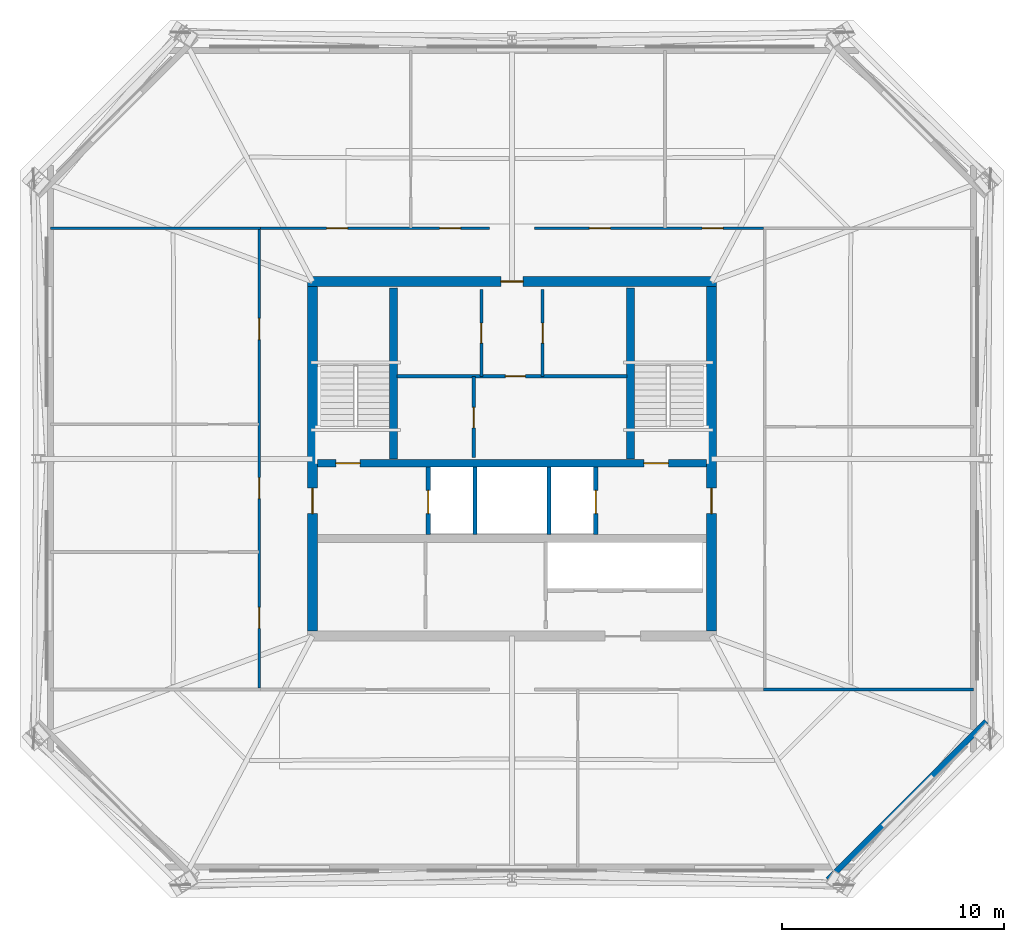
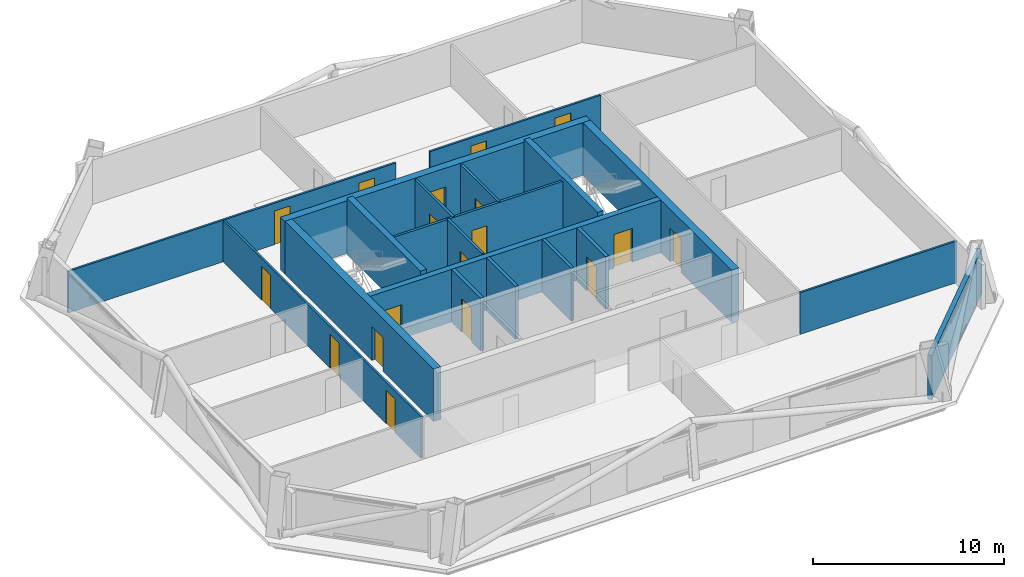
# One storey, part 3 of 6: 20 walls, 18 doors, 18 openings.
"""IFC4 building model written with IfcOpenShell, lengths in metres."""

from ifc_helpers import new_model, si_unit, direction, frame, frame_2d, origin, place, context, subcontext, project, spatial, rectangle, extrude, material, layer, layer_set, type_object, element, fill, save


model = new_model("IFC4")

# Units and contexts
model_context = context("Model", 3, precision=1e-05, world=origin(), true_north=direction((0.0, 1.0)))
body_context = subcontext(model_context, "Body", "Model", "MODEL_VIEW")
ifc_project = project(units=[si_unit("LENGTHUNIT", "METRE"), si_unit("AREAUNIT", "SQUARE_METRE"), si_unit("VOLUMEUNIT", "CUBIC_METRE"), si_unit("PLANEANGLEUNIT", "RADIAN"), si_unit("MASSUNIT", "GRAM", prefix="KILO")], contexts=[model_context])

# Site, building, storey
site_placement = place(None, origin())
site = spatial("IfcSite", under=ifc_project, at=site_placement, CompositionType="ELEMENT")
building_placement = place(site_placement, origin())
building = spatial("IfcBuilding", under=site, at=building_placement, Name="Caelvoria Tower", CompositionType="ELEMENT")
storey_placement = place(building_placement, frame((0.0, 0.0, 205.800048828125)))
storey = spatial("IfcBuildingStorey", under=building, at=storey_placement, Name="L54", CompositionType="ELEMENT", Elevation=205.800048828125)

# Wall, openings, doors
ifc_material_1 = material(Name="Concrete C50/60", Category="concrete")
ifc_layer_1 = layer(ifc_material_1, 0.35009765625, Name="Concrete C50/60")
ifc_layer_set_1 = layer_set([ifc_layer_1], Name="Core Internal Shear Wall 350 - Concrete C50/60")
wall_type_1 = type_object("IfcWallType", Name="Core Internal Shear Wall 350", PredefinedType="SHEAR", material=ifc_layer_set_1)
wall_1_placement = place(storey_placement, frame((37.22509765625, 31.800048828125, 0.0), z_axis=(0.0, 0.0, 1.0), x_axis=(1.0, 0.0, 0.0)))
wall_1 = element("IfcWall", 1, at=wall_1_placement, inside=storey, type_object=wall_type_1, Name="Core Shear Wall L54 M1", PredefinedType="SHEAR", context=body_context, shape_type="SweptSolid", body=[
    extrude(rectangle(XDim=17.5498046875, YDim=0.35009765625, at=frame_2d((8.77490234375, 0.0))), origin(), (0.0, 0.0, 1.0), 3.35986328125),
])
opening_1_placement = place(wall_1_placement, frame((0.824951171875, 0.0, 0.0)))
opening_1 = element("IfcOpeningElement", 2, at=opening_1_placement, cuts=wall_1, Name="Opening ID-01", PredefinedType="OPENING", context=body_context, shape_type="SweptSolid", body=[
    extrude(rectangle(XDim=1.10009765625, YDim=2.14990234375, at=frame_2d((0.550048828125, 1.074951171875))), frame((0.0, 0.18505859375, 0.0), z_axis=(0.0, -1.0, 0.0), x_axis=(1.0, 0.0, 0.0)), (0.0, 0.0, 1.0), 0.3701171875),
])
opening_2_placement = place(wall_1_placement, frame((14.72509765625, 0.0, 0.0)))
opening_2 = element("IfcOpeningElement", 3, at=opening_2_placement, cuts=wall_1, Name="Opening ID-01", PredefinedType="OPENING", context=body_context, shape_type="SweptSolid", body=[
    extrude(rectangle(XDim=1.10009765625, YDim=2.14990234375, at=frame_2d((0.550048828125, 1.074951171875))), frame((0.0, 0.18505859375, 0.0), z_axis=(0.0, -1.0, 0.0), x_axis=(1.0, 0.0, 0.0)), (0.0, 0.0, 1.0), 0.3701171875),
])
ifc_material_2 = material(Name="Painted Hollow Steel Fire Door", Category="steel")
door_type_1 = type_object("IfcDoorType", Name="Fire Door FD90S 1100x2150", OperationType="NOTDEFINED", PredefinedType="DOOR", material=ifc_material_2)
door_1_placement = place(opening_1_placement, origin())
door_1 = element("IfcDoor", 4, at=door_1_placement, inside=storey, type_object=door_type_1, Name="Core Door DR-L54-ST1", OperationType="SINGLE_SWING_LEFT", OverallHeight=2.14990234375, OverallWidth=1.10009765625, PredefinedType="DOOR", context=body_context, shape_type="SweptSolid", body=[
    extrude(rectangle(XDim=1.10009765625, YDim=2.14990234375, at=frame_2d((0.550048828125, 1.074951171875))), frame((0.0, 0.02490234375, 0.0), z_axis=(0.0, -1.0, 0.0), x_axis=(1.0, 0.0, 0.0)), (0.0, 0.0, 1.0), 0.050048828125),
])
fill(opening_1, door_1)
door_2_placement = place(opening_2_placement, origin())
door_2 = element("IfcDoor", 5, at=door_2_placement, inside=storey, type_object=door_type_1, Name="Core Door DR-L54-ST2", OperationType="SINGLE_SWING_RIGHT", OverallHeight=2.14990234375, OverallWidth=1.10009765625, PredefinedType="DOOR", context=body_context, shape_type="SweptSolid", body=[
    extrude(rectangle(XDim=1.10009765625, YDim=2.14990234375, at=frame_2d((0.550048828125, 1.074951171875))), frame((0.0, 0.02490234375, 0.0), z_axis=(0.0, -1.0, 0.0), x_axis=(1.0, 0.0, 0.0)), (0.0, 0.0, 1.0), 0.050048828125),
])
fill(opening_2, door_2)

# Walls
for number, where, z_axis, x_axis, name in (
    (6, (40.64990234375, 32.0, 0.0), (0.0, 0.0, 1.0), (0.0, 1.0, 0.0), "Interior Partition IW-L54-ST1E"),
    (7, (51.35009765625, 32.0, 0.0), (0.0, 0.0, 1.0), (0.0, 1.0, 0.0), "Interior Partition IW-L54-ST2W"),
):
    element("IfcWall", number, at=place(storey_placement, frame(where, z_axis=z_axis, x_axis=x_axis)), inside=storey, type_object=wall_type_1, Name=name, PredefinedType="SHEAR", context=body_context, shape_type="SweptSolid", body=[
        extrude(rectangle(XDim=7.699951171875, YDim=0.35009765625, at=frame_2d((3.85009765625, 0.0))), origin(), (0.0, 0.0, 1.0), 3.599853515625),
    ])

# Wall, opening, door
ifc_material_3 = material(Name="Double Gypsum Board on Steel Stud", Category="steel")
ifc_layer_2 = layer(ifc_material_3, 0.14990234375, Name="Double Gypsum Board on Steel Stud")
ifc_layer_set_2 = layer_set([ifc_layer_2], Name="Core Service Acoustic Partition Wall 150 - Double Gypsum Board on Steel Stud")
wall_type_2 = type_object("IfcWallType", Name="Core Service Acoustic Partition Wall 150", PredefinedType="PARTITIONING", material=ifc_layer_set_2)
wall_2_placement = place(storey_placement, frame((44.6201171875, 35.719970703125, 0.0), z_axis=(0.0, 0.0, 1.0), x_axis=(0.0, 1.0, 0.0)))
wall_2 = element("IfcWall", 8, at=wall_2_placement, inside=storey, type_object=wall_type_2, Name="Interior Partition IW-L54-C0L", PredefinedType="PARTITIONING", context=body_context, shape_type="SweptSolid", body=[
    extrude(rectangle(XDim=3.929931640625, YDim=0.14990234375, at=frame_2d((1.96484375, 0.0))), origin(), (0.0, 0.0, 1.0), 3.375),
])
opening_3_placement = place(wall_2_placement, frame((1.5, 0.0, 0.0)))
opening_3 = element("IfcOpeningElement", 9, at=opening_3_placement, cuts=wall_2, Name="Opening ID-06", PredefinedType="OPENING", context=body_context, shape_type="SweptSolid", body=[
    extrude(rectangle(XDim=0.89990234375, YDim=2.14990234375, at=frame_2d((0.449951171875, 1.074951171875))), frame((0.0, 0.0849609375, 0.0), z_axis=(0.0, -1.0, 0.0), x_axis=(1.0, 0.0, 0.0)), (0.0, 0.0, 1.0), 0.169921875),
])
ifc_material_4 = material(Name="Engineered Andean Oak Veneer Door", Category="wood")
door_type_2 = type_object("IfcDoorType", Name="Interior Timber Door 900x2150", OperationType="NOTDEFINED", PredefinedType="DOOR", material=ifc_material_4)
door_3_placement = place(opening_3_placement, origin())
door_3 = element("IfcDoor", 10, at=door_3_placement, inside=storey, type_object=door_type_2, Name="Interior Door DR-L54-C01", OperationType="SINGLE_SWING_LEFT", OverallHeight=2.14990234375, OverallWidth=0.89990234375, PredefinedType="DOOR", context=body_context, shape_type="SweptSolid", body=[
    extrude(rectangle(XDim=0.89990234375, YDim=2.14990234375, at=frame_2d((0.449951171875, 1.074951171875))), frame((0.0, 0.02490234375, 0.0), z_axis=(0.0, -1.0, 0.0), x_axis=(1.0, 0.0, 0.0)), (0.0, 0.0, 1.0), 0.050048828125),
])
fill(opening_3, door_3)

wall_3_placement = place(storey_placement, frame((47.3798828125, 35.719970703125, 0.0), z_axis=(0.0, 0.0, 1.0), x_axis=(0.0, 1.0, 0.0)))
wall_3 = element("IfcWall", 11, at=wall_3_placement, inside=storey, type_object=wall_type_2, Name="Interior Partition IW-L54-C0R", PredefinedType="PARTITIONING", context=body_context, shape_type="SweptSolid", body=[
    extrude(rectangle(XDim=3.929931640625, YDim=0.14990234375, at=frame_2d((1.96484375, 0.0))), origin(), (0.0, 0.0, 1.0), 3.375),
])
opening_4_placement = place(wall_3_placement, frame((1.5, 0.0, 0.0)))
opening_4 = element("IfcOpeningElement", 12, at=opening_4_placement, cuts=wall_3, Name="Opening ID-06", PredefinedType="OPENING", context=body_context, shape_type="SweptSolid", body=[
    extrude(rectangle(XDim=0.89990234375, YDim=2.14990234375, at=frame_2d((0.449951171875, 1.074951171875))), frame((0.0, 0.0849609375, 0.0), z_axis=(0.0, -1.0, 0.0), x_axis=(1.0, 0.0, 0.0)), (0.0, 0.0, 1.0), 0.169921875),
])
door_4_placement = place(opening_4_placement, origin())
door_4 = element("IfcDoor", 13, at=door_4_placement, inside=storey, type_object=door_type_2, Name="Interior Door DR-L54-C02", OperationType="SINGLE_SWING_RIGHT", OverallHeight=2.14990234375, OverallWidth=0.89990234375, PredefinedType="DOOR", context=body_context, shape_type="SweptSolid", body=[
    extrude(rectangle(XDim=0.89990234375, YDim=2.14990234375, at=frame_2d((0.449951171875, 1.074951171875))), frame((0.0, 0.02490234375, 0.0), z_axis=(0.0, -1.0, 0.0), x_axis=(1.0, 0.0, 0.0)), (0.0, 0.0, 1.0), 0.050048828125),
])
fill(opening_4, door_4)

wall_4_placement = place(storey_placement, frame((44.280029296875, 32.050048828125, 0.0), z_axis=(0.0, 0.0, 1.0), x_axis=(0.0, 1.0, 0.0)))
wall_4 = element("IfcWall", 14, at=wall_4_placement, inside=storey, type_object=wall_type_2, Name="Interior Partition IW-L54-C0M", PredefinedType="PARTITIONING", context=body_context, shape_type="SweptSolid", body=[
    extrude(rectangle(XDim=3.669921875, YDim=0.14990234375, at=frame_2d((1.8349609375, 0.0))), origin(), (0.0, 0.0, 1.0), 3.375),
])
opening_5_placement = place(wall_4_placement, frame((1.35009765625, 0.0, 0.0)))
opening_5 = element("IfcOpeningElement", 15, at=opening_5_placement, cuts=wall_4, Name="Opening ID-07", PredefinedType="OPENING", context=body_context, shape_type="SweptSolid", body=[
    extrude(rectangle(XDim=0.919921875, YDim=2.14990234375, at=frame_2d((0.4599609375, 1.074951171875))), frame((0.0, 0.0849609375, 0.0), z_axis=(0.0, -1.0, 0.0), x_axis=(1.0, 0.0, 0.0)), (0.0, 0.0, 1.0), 0.169921875),
])
ifc_material_5 = material(Name="Engineered Andean Oak Accessible Door", Category="wood")
door_type_3 = type_object("IfcDoorType", Name="Accessible WC Door 950x2150", OperationType="NOTDEFINED", PredefinedType="DOOR", material=ifc_material_5)
door_5_placement = place(opening_5_placement, origin())
door_5 = element("IfcDoor", 16, at=door_5_placement, inside=storey, type_object=door_type_3, Name="Interior Door DR-L54-C05", OperationType="SINGLE_SWING_LEFT", OverallHeight=2.14990234375, OverallWidth=0.919921875, PredefinedType="DOOR", context=body_context, shape_type="SweptSolid", body=[
    extrude(rectangle(XDim=0.919921875, YDim=2.14990234375, at=frame_2d((0.4599609375, 1.074951171875))), frame((0.0, 0.02490234375, 0.0), z_axis=(0.0, -1.0, 0.0), x_axis=(1.0, 0.0, 0.0)), (0.0, 0.0, 1.0), 0.050048828125),
])
fill(opening_5, door_5)

wall_5_placement = place(storey_placement, frame((40.800048828125, 35.719970703125, 0.0), z_axis=(0.0, 0.0, 1.0), x_axis=(1.0, 0.0, 0.0)))
wall_5 = element("IfcWall", 17, at=wall_5_placement, inside=storey, type_object=wall_type_2, Name="Interior Partition IW-L54-C0H", PredefinedType="PARTITIONING", context=body_context, shape_type="SweptSolid", body=[
    extrude(rectangle(XDim=10.39990234375, YDim=0.14990234375, at=frame_2d((5.199951171875, 0.0))), origin(), (0.0, 0.0, 1.0), 3.375),
])
opening_6_placement = place(wall_5_placement, frame((4.89990234375, 0.0, 0.0)))
opening_6 = element("IfcOpeningElement", 18, at=opening_6_placement, cuts=wall_5, Name="Opening ID-04", PredefinedType="OPENING", context=body_context, shape_type="SweptSolid", body=[
    extrude(rectangle(XDim=0.89990234375, YDim=2.14990234375, at=frame_2d((0.449951171875, 1.074951171875))), frame((0.0, 0.0849609375, 0.0), z_axis=(0.0, -1.0, 0.0), x_axis=(1.0, 0.0, 0.0)), (0.0, 0.0, 1.0), 0.169921875),
])
ifc_material_6 = material(Name="Acoustic Timber Fire Door", Category="wood")
door_type_4 = type_object("IfcDoorType", Name="Fire Door FD30S 900x2150", OperationType="NOTDEFINED", PredefinedType="DOOR", material=ifc_material_6)
door_6_placement = place(opening_6_placement, origin())
door_6 = element("IfcDoor", 19, at=door_6_placement, inside=storey, type_object=door_type_4, Name="Interior Door DR-L54-C04", OperationType="SINGLE_SWING_RIGHT", OverallHeight=2.14990234375, OverallWidth=0.89990234375, PredefinedType="DOOR", context=body_context, shape_type="SweptSolid", body=[
    extrude(rectangle(XDim=0.89990234375, YDim=2.14990234375, at=frame_2d((0.449951171875, 1.074951171875))), frame((0.0, 0.02490234375, 0.0), z_axis=(0.0, -1.0, 0.0), x_axis=(1.0, 0.0, 0.0)), (0.0, 0.0, 1.0), 0.050048828125),
])
fill(opening_6, door_6)

# Walls
ifc_material_7 = material(Name="Concrete Block and Fireboard Assembly", Category="concrete")
ifc_layer_3 = layer(ifc_material_7, 0.179931640625, Name="Concrete Block and Fireboard Assembly")
ifc_layer_set_3 = layer_set([ifc_layer_3], Name="Fire-Rated Hoistway Partition Wall 180 - Concrete Block and Fireboard Assembly")
wall_type_3 = type_object("IfcWallType", Name="Fire-Rated Hoistway Partition Wall 180", PredefinedType="PARTITIONING", material=ifc_layer_set_3)
for number, where, z_axis, x_axis, name in (
    (20, (44.320068359375, 28.580078125, 0.0), (0.0, 0.0, 1.0), (0.0, 1.0, 0.0), "Interior Partition IW-L54-SV1W"),
    (21, (47.679931640625, 28.580078125, 0.0), (0.0, 0.0, 1.0), (0.0, 1.0, 0.0), "Interior Partition IW-L54-SV1E"),
):
    element("IfcWall", number, at=place(storey_placement, frame(where, z_axis=z_axis, x_axis=x_axis)), inside=storey, type_object=wall_type_3, Name=name, PredefinedType="PARTITIONING", context=body_context, shape_type="SweptSolid", body=[
        extrude(rectangle(XDim=3.0400390625, YDim=0.179931640625, at=frame_2d((1.52001953125, 0.0))), origin(), (0.0, 0.0, 1.0), 3.375),
    ])

# Wall, opening, door
ifc_layer_4 = layer(ifc_material_7, 0.199951171875, Name="Concrete Block and Fireboard Assembly")
ifc_layer_set_4 = layer_set([ifc_layer_4], Name="Fire-Rated Shaft and Core Partition Wall 200 - Concrete Block and Fireboard Assembly")
wall_type_4 = type_object("IfcWallType", Name="Fire-Rated Shaft and Core Partition Wall 200", PredefinedType="PARTITIONING", material=ifc_layer_set_4)
wall_6_placement = place(storey_placement, frame((42.219970703125, 28.580078125, 0.0), z_axis=(0.0, 0.0, 1.0), x_axis=(0.0, 1.0, 0.0)))
wall_6 = element("IfcWall", 22, at=wall_6_placement, inside=storey, type_object=wall_type_4, Name="Interior Partition IW-L54-LF1W", PredefinedType="PARTITIONING", context=body_context, shape_type="SweptSolid", body=[
    extrude(rectangle(XDim=3.0400390625, YDim=0.199951171875, at=frame_2d((1.52001953125, 0.0))), origin(), (0.0, 0.0, 1.0), 3.375),
])
opening_7_placement = place(wall_6_placement, frame((0.949951171875, 0.0, 0.0)))
opening_7 = element("IfcOpeningElement", 23, at=opening_7_placement, cuts=wall_6, Name="Opening LD-01", PredefinedType="OPENING", context=body_context, shape_type="SweptSolid", body=[
    extrude(rectangle(XDim=1.050048828125, YDim=2.14990234375, at=frame_2d((0.52490234375, 1.074951171875))), frame((0.0, 0.10986328125, 0.0), z_axis=(0.0, -1.0, 0.0), x_axis=(1.0, 0.0, 0.0)), (0.0, 0.0, 1.0), 0.219970703125),
])
ifc_material_8 = material(Name="Brushed Bronze Stainless Sliding Landing Door", Category="aluminium")
door_type_5 = type_object("IfcDoorType", Name="Lift Landing Sliding Door 1100x2150", OperationType="NOTDEFINED", PredefinedType="DOOR", material=ifc_material_8)
door_7_placement = place(opening_7_placement, origin())
door_7 = element("IfcDoor", 24, at=door_7_placement, inside=storey, type_object=door_type_5, Name="Interior Door LD-L54-LF1", OperationType="SLIDING_TO_LEFT", OverallHeight=2.14990234375, OverallWidth=1.050048828125, PredefinedType="DOOR", context=body_context, shape_type="SweptSolid", body=[
    extrude(rectangle(XDim=1.050048828125, YDim=2.14990234375, at=frame_2d((0.52490234375, 1.074951171875))), frame((0.0, 0.02490234375, 0.0), z_axis=(0.0, -1.0, 0.0), x_axis=(1.0, 0.0, 0.0)), (0.0, 0.0, 1.0), 0.050048828125),
])
fill(opening_7, door_7)

wall_7_placement = place(storey_placement, frame((49.780029296875, 28.580078125, 0.0), z_axis=(0.0, 0.0, 1.0), x_axis=(0.0, 1.0, 0.0)))
wall_7 = element("IfcWall", 25, at=wall_7_placement, inside=storey, type_object=wall_type_4, Name="Interior Partition IW-L54-LF2E", PredefinedType="PARTITIONING", context=body_context, shape_type="SweptSolid", body=[
    extrude(rectangle(XDim=3.0400390625, YDim=0.199951171875, at=frame_2d((1.52001953125, 0.0))), origin(), (0.0, 0.0, 1.0), 3.375),
])
opening_8_placement = place(wall_7_placement, frame((0.949951171875, 0.0, 0.0)))
opening_8 = element("IfcOpeningElement", 26, at=opening_8_placement, cuts=wall_7, Name="Opening LD-01", PredefinedType="OPENING", context=body_context, shape_type="SweptSolid", body=[
    extrude(rectangle(XDim=1.050048828125, YDim=2.14990234375, at=frame_2d((0.52490234375, 1.074951171875))), frame((0.0, 0.10986328125, 0.0), z_axis=(0.0, -1.0, 0.0), x_axis=(1.0, 0.0, 0.0)), (0.0, 0.0, 1.0), 0.219970703125),
])
door_8_placement = place(opening_8_placement, origin())
door_8 = element("IfcDoor", 27, at=door_8_placement, inside=storey, type_object=door_type_5, Name="Interior Door LD-L54-LF2", OperationType="SLIDING_TO_RIGHT", OverallHeight=2.14990234375, OverallWidth=1.050048828125, PredefinedType="DOOR", context=body_context, shape_type="SweptSolid", body=[
    extrude(rectangle(XDim=1.050048828125, YDim=2.14990234375, at=frame_2d((0.52490234375, 1.074951171875))), frame((0.0, 0.02490234375, 0.0), z_axis=(0.0, -1.0, 0.0), x_axis=(1.0, 0.0, 0.0)), (0.0, 0.0, 1.0), 0.050048828125),
])
fill(opening_8, door_8)

# Wall, openings, doors
ifc_material_9 = material(Name="Acoustic Gypsum Board on Light-Gauge Stud", Category="gypsum")
ifc_layer_5 = layer(ifc_material_9, 0.1201171875, Name="Acoustic Gypsum Board on Light-Gauge Stud")
ifc_layer_set_5 = layer_set([ifc_layer_5], Name="Tenant Suite Acoustic Partition Wall 120 - Acoustic Gypsum Board on Light-Gauge Stud")
wall_type_5 = type_object("IfcWallType", Name="Tenant Suite Acoustic Partition Wall 120", PredefinedType="PARTITIONING", material=ifc_layer_set_5)
wall_8_placement = place(storey_placement, frame((34.64990234375, 42.409912109375, 0.0), z_axis=(0.0, 0.0, 1.0), x_axis=(1.0, 0.0, 0.0)))
wall_8 = element("IfcWall", 28, at=wall_8_placement, inside=storey, type_object=wall_type_5, Name="Interior Partition IW-L54-NCW-0", PredefinedType="PARTITIONING", context=body_context, shape_type="SweptSolid", body=[
    extrude(rectangle(XDim=10.330078125, YDim=0.1201171875, at=frame_2d((5.1650390625, 0.0))), origin(), (0.0, 0.0, 1.0), 2.655029296875),
])
opening_9_placement = place(wall_8_placement, frame((2.98388671875, 0.0, 0.0)))
opening_9 = element("IfcOpeningElement", 29, at=opening_9_placement, cuts=wall_8, Name="Opening ID-05", PredefinedType="OPENING", context=body_context, shape_type="SweptSolid", body=[
    extrude(rectangle(XDim=0.949951171875, YDim=2.14990234375, at=frame_2d((0.47509765625, 1.074951171875))), frame((0.0, 0.070068359375, 0.0), z_axis=(0.0, -1.0, 0.0), x_axis=(1.0, 0.0, 0.0)), (0.0, 0.0, 1.0), 0.14013671875),
])
opening_10_placement = place(wall_8_placement, frame((8.078857421875, 0.0, 0.0)))
opening_10 = element("IfcOpeningElement", 30, at=opening_10_placement, cuts=wall_8, Name="Opening ID-05", PredefinedType="OPENING", context=body_context, shape_type="SweptSolid", body=[
    extrude(rectangle(XDim=0.949951171875, YDim=2.14990234375, at=frame_2d((0.47509765625, 1.074951171875))), frame((0.0, 0.070068359375, 0.0), z_axis=(0.0, -1.0, 0.0), x_axis=(1.0, 0.0, 0.0)), (0.0, 0.0, 1.0), 0.14013671875),
])
door_type_6 = type_object("IfcDoorType", Name="Interior Timber Door 950x2150", OperationType="NOTDEFINED", PredefinedType="DOOR", material=ifc_material_4)
door_9_placement = place(opening_9_placement, origin())
door_9 = element("IfcDoor", 31, at=door_9_placement, inside=storey, type_object=door_type_6, Name="Interior Door DR-L54-NC-00-0", OperationType="SINGLE_SWING_LEFT", OverallHeight=2.14990234375, OverallWidth=0.949951171875, PredefinedType="DOOR", context=body_context, shape_type="SweptSolid", body=[
    extrude(rectangle(XDim=0.949951171875, YDim=2.14990234375, at=frame_2d((0.47509765625, 1.074951171875))), frame((0.0, 0.02490234375, 0.0), z_axis=(0.0, -1.0, 0.0), x_axis=(1.0, 0.0, 0.0)), (0.0, 0.0, 1.0), 0.050048828125),
])
fill(opening_9, door_9)
door_10_placement = place(opening_10_placement, origin())
door_10 = element("IfcDoor", 32, at=door_10_placement, inside=storey, type_object=door_type_6, Name="Interior Door DR-L54-NC-01-0", OperationType="SINGLE_SWING_RIGHT", OverallHeight=2.14990234375, OverallWidth=0.949951171875, PredefinedType="DOOR", context=body_context, shape_type="SweptSolid", body=[
    extrude(rectangle(XDim=0.949951171875, YDim=2.14990234375, at=frame_2d((0.47509765625, 1.074951171875))), frame((0.0, 0.02490234375, 0.0), z_axis=(0.0, -1.0, 0.0), x_axis=(1.0, 0.0, 0.0)), (0.0, 0.0, 1.0), 0.050048828125),
])
fill(opening_10, door_10)

wall_9_placement = place(storey_placement, frame((47.02001953125, 42.409912109375, 0.0), z_axis=(0.0, 0.0, 1.0), x_axis=(1.0, 0.0, 0.0)))
wall_9 = element("IfcWall", 33, at=wall_9_placement, inside=storey, type_object=wall_type_5, Name="Interior Partition IW-L54-NCW-1", PredefinedType="PARTITIONING", context=body_context, shape_type="SweptSolid", body=[
    extrude(rectangle(XDim=10.330078125, YDim=0.1201171875, at=frame_2d((5.1650390625, 0.0))), origin(), (0.0, 0.0, 1.0), 2.655029296875),
])
opening_11_placement = place(wall_9_placement, frame((2.466796875, 0.0, 0.0)))
opening_11 = element("IfcOpeningElement", 34, at=opening_11_placement, cuts=wall_9, Name="Opening ID-05", PredefinedType="OPENING", context=body_context, shape_type="SweptSolid", body=[
    extrude(rectangle(XDim=0.949951171875, YDim=2.14990234375, at=frame_2d((0.47509765625, 1.074951171875))), frame((0.0, 0.070068359375, 0.0), z_axis=(0.0, -1.0, 0.0), x_axis=(1.0, 0.0, 0.0)), (0.0, 0.0, 1.0), 0.14013671875),
])
opening_12_placement = place(wall_9_placement, frame((7.561767578125, 0.0, 0.0)))
opening_12 = element("IfcOpeningElement", 35, at=opening_12_placement, cuts=wall_9, Name="Opening ID-05", PredefinedType="OPENING", context=body_context, shape_type="SweptSolid", body=[
    extrude(rectangle(XDim=0.949951171875, YDim=2.14990234375, at=frame_2d((0.47509765625, 1.074951171875))), frame((0.0, 0.070068359375, 0.0), z_axis=(0.0, -1.0, 0.0), x_axis=(1.0, 0.0, 0.0)), (0.0, 0.0, 1.0), 0.14013671875),
])
door_11_placement = place(opening_11_placement, origin())
door_11 = element("IfcDoor", 36, at=door_11_placement, inside=storey, type_object=door_type_6, Name="Interior Door DR-L54-NC-02-0", OperationType="SINGLE_SWING_LEFT", OverallHeight=2.14990234375, OverallWidth=0.949951171875, PredefinedType="DOOR", context=body_context, shape_type="SweptSolid", body=[
    extrude(rectangle(XDim=0.949951171875, YDim=2.14990234375, at=frame_2d((0.47509765625, 1.074951171875))), frame((0.0, 0.02490234375, 0.0), z_axis=(0.0, -1.0, 0.0), x_axis=(1.0, 0.0, 0.0)), (0.0, 0.0, 1.0), 0.050048828125),
])
fill(opening_11, door_11)
door_12_placement = place(opening_12_placement, origin())
door_12 = element("IfcDoor", 37, at=door_12_placement, inside=storey, type_object=door_type_6, Name="Interior Door DR-L54-NC-03-0", OperationType="SINGLE_SWING_RIGHT", OverallHeight=2.14990234375, OverallWidth=0.949951171875, PredefinedType="DOOR", context=body_context, shape_type="SweptSolid", body=[
    extrude(rectangle(XDim=0.949951171875, YDim=2.14990234375, at=frame_2d((0.47509765625, 1.074951171875))), frame((0.0, 0.02490234375, 0.0), z_axis=(0.0, -1.0, 0.0), x_axis=(1.0, 0.0, 0.0)), (0.0, 0.0, 1.0), 0.050048828125),
])
fill(opening_12, door_12)

wall_10_placement = place(storey_placement, frame((34.590087890625, 21.64990234375, 0.0), z_axis=(0.0, 0.0, 1.0), x_axis=(0.0, 1.0, 0.0)))
wall_10 = element("IfcWall", 38, at=wall_10_placement, inside=storey, type_object=wall_type_5, Name="Interior Partition IW-L54-WCW-0", PredefinedType="PARTITIONING", context=body_context, shape_type="SweptSolid", body=[
    extrude(rectangle(XDim=20.7001953125, YDim=0.1201171875, at=frame_2d((10.35009765625, 0.0))), origin(), (0.0, 0.0, 1.0), 2.655029296875),
])
opening_13_placement = place(wall_10_placement, frame((2.698486328125, 0.0, 0.0)))
opening_13 = element("IfcOpeningElement", 39, at=opening_13_placement, cuts=wall_10, Name="Opening ID-05", PredefinedType="OPENING", context=body_context, shape_type="SweptSolid", body=[
    extrude(rectangle(XDim=0.949951171875, YDim=2.14990234375, at=frame_2d((0.47509765625, 1.074951171875))), frame((0.0, 0.070068359375, 0.0), z_axis=(0.0, -1.0, 0.0), x_axis=(1.0, 0.0, 0.0)), (0.0, 0.0, 1.0), 0.14013671875),
])
opening_14_placement = place(wall_10_placement, frame((8.556396484375, 0.0, 0.0)))
opening_14 = element("IfcOpeningElement", 40, at=opening_14_placement, cuts=wall_10, Name="Opening ID-05", PredefinedType="OPENING", context=body_context, shape_type="SweptSolid", body=[
    extrude(rectangle(XDim=0.949951171875, YDim=2.14990234375, at=frame_2d((0.47509765625, 1.074951171875))), frame((0.0, 0.070068359375, 0.0), z_axis=(0.0, -1.0, 0.0), x_axis=(1.0, 0.0, 0.0)), (0.0, 0.0, 1.0), 0.14013671875),
])
opening_15_placement = place(wall_10_placement, frame((15.73291015625, 0.0, 0.0)))
opening_15 = element("IfcOpeningElement", 41, at=opening_15_placement, cuts=wall_10, Name="Opening ID-05", PredefinedType="OPENING", context=body_context, shape_type="SweptSolid", body=[
    extrude(rectangle(XDim=0.949951171875, YDim=2.14990234375, at=frame_2d((0.47509765625, 1.074951171875))), frame((0.0, 0.070068359375, 0.0), z_axis=(0.0, -1.0, 0.0), x_axis=(1.0, 0.0, 0.0)), (0.0, 0.0, 1.0), 0.14013671875),
])
door_13_placement = place(opening_13_placement, origin())
door_13 = element("IfcDoor", 42, at=door_13_placement, inside=storey, type_object=door_type_6, Name="Interior Door DR-L54-WC-00-0", OperationType="SINGLE_SWING_LEFT", OverallHeight=2.14990234375, OverallWidth=0.949951171875, PredefinedType="DOOR", context=body_context, shape_type="SweptSolid", body=[
    extrude(rectangle(XDim=0.949951171875, YDim=2.14990234375, at=frame_2d((0.47509765625, 1.074951171875))), frame((0.0, 0.02490234375, 0.0), z_axis=(0.0, -1.0, 0.0), x_axis=(1.0, 0.0, 0.0)), (0.0, 0.0, 1.0), 0.050048828125),
])
fill(opening_13, door_13)
door_14_placement = place(opening_14_placement, origin())
door_14 = element("IfcDoor", 43, at=door_14_placement, inside=storey, type_object=door_type_6, Name="Interior Door DR-L54-WC-01-0", OperationType="SINGLE_SWING_RIGHT", OverallHeight=2.14990234375, OverallWidth=0.949951171875, PredefinedType="DOOR", context=body_context, shape_type="SweptSolid", body=[
    extrude(rectangle(XDim=0.949951171875, YDim=2.14990234375, at=frame_2d((0.47509765625, 1.074951171875))), frame((0.0, 0.02490234375, 0.0), z_axis=(0.0, -1.0, 0.0), x_axis=(1.0, 0.0, 0.0)), (0.0, 0.0, 1.0), 0.050048828125),
])
fill(opening_14, door_14)
door_15_placement = place(opening_15_placement, origin())
door_15 = element("IfcDoor", 44, at=door_15_placement, inside=storey, type_object=door_type_6, Name="Interior Door DR-L54-WC-02-0", OperationType="SINGLE_SWING_LEFT", OverallHeight=2.14990234375, OverallWidth=0.949951171875, PredefinedType="DOOR", context=body_context, shape_type="SweptSolid", body=[
    extrude(rectangle(XDim=0.949951171875, YDim=2.14990234375, at=frame_2d((0.47509765625, 1.074951171875))), frame((0.0, 0.02490234375, 0.0), z_axis=(0.0, -1.0, 0.0), x_axis=(1.0, 0.0, 0.0)), (0.0, 0.0, 1.0), 0.050048828125),
])
fill(opening_15, door_15)

# Walls
for number, where, z_axis, x_axis, name in (
    (45, (57.35009765625, 21.590087890625, 0.0), (0.0, 0.0, 1.0), (1.0, 0.0, 0.0), "Interior Partition IW-L54-BSE-0"),
    (46, (34.64990234375, 42.409912109375, 0.0), (0.0, 0.0, 1.0), (-1.0, 0.0, 0.0), "Interior Partition IW-L54-BNW-0"),
):
    element("IfcWall", number, at=place(storey_placement, frame(where, z_axis=z_axis, x_axis=x_axis)), inside=storey, type_object=wall_type_5, Name=name, PredefinedType="PARTITIONING", context=body_context, shape_type="SweptSolid", body=[
        extrude(rectangle(XDim=9.469970703125, YDim=0.1201171875, at=frame_2d((4.73486328125, 0.0))), origin(), (0.0, 0.0, 1.0), 2.655029296875),
    ])

# Wall, opening, door
ifc_layer_6 = layer(ifc_material_1, 0.449951171875, Name="Concrete C50/60")
ifc_layer_set_6 = layer_set([ifc_layer_6], Name="Upper Core Shear Wall 450 - Concrete C50/60")
wall_type_6 = type_object("IfcWallType", Name="Upper Core Shear Wall 450", PredefinedType="SHEAR", material=ifc_layer_set_6)
wall_11_placement = place(storey_placement, frame((36.77490234375, 40.0, 0.0), z_axis=(0.0, 0.0, 1.0), x_axis=(1.0, 0.0, 0.0)))
wall_11 = element("IfcWall", 47, at=wall_11_placement, inside=storey, type_object=wall_type_6, Name="Core Shear Wall L54 N", PredefinedType="SHEAR", context=body_context, shape_type="SweptSolid", body=[
    extrude(rectangle(XDim=18.4501953125, YDim=0.449951171875, at=frame_2d((9.22509765625, 0.0))), origin(), (0.0, 0.0, 1.0), 3.35986328125),
])
opening_16_placement = place(wall_11_placement, frame((8.72509765625, 0.0, 0.0)))
opening_16 = element("IfcOpeningElement", 48, at=opening_16_placement, cuts=wall_11, Name="Opening ID-03", PredefinedType="OPENING", context=body_context, shape_type="SweptSolid", body=[
    extrude(rectangle(XDim=1.0, YDim=2.14990234375, at=frame_2d((0.5, 1.074951171875))), frame((0.0, 0.23486328125, 0.0), z_axis=(0.0, -1.0, 0.0), x_axis=(1.0, 0.0, 0.0)), (0.0, 0.0, 1.0), 0.469970703125),
])
door_type_7 = type_object("IfcDoorType", Name="Fire Door FD60S 1000x2150", OperationType="NOTDEFINED", PredefinedType="DOOR", material=ifc_material_2)
door_16_placement = place(opening_16_placement, origin())
door_16 = element("IfcDoor", 49, at=door_16_placement, inside=storey, type_object=door_type_7, Name="Core Door DR-L54-WC-MAIN", OperationType="SINGLE_SWING_RIGHT", OverallHeight=2.14990234375, OverallWidth=1.0, PredefinedType="DOOR", context=body_context, shape_type="SweptSolid", body=[
    extrude(rectangle(XDim=1.0, YDim=2.14990234375, at=frame_2d((0.5, 1.074951171875))), frame((0.0, 0.02490234375, 0.0), z_axis=(0.0, -1.0, 0.0), x_axis=(1.0, 0.0, 0.0)), (0.0, 0.0, 1.0), 0.050048828125),
])
fill(opening_16, door_16)

wall_12_placement = place(storey_placement, frame((37.0, 24.22509765625, 0.0), z_axis=(0.0, 0.0, 1.0), x_axis=(0.0, 1.0, 0.0)))
wall_12 = element("IfcWall", 50, at=wall_12_placement, inside=storey, type_object=wall_type_6, Name="Core Shear Wall L54 W", PredefinedType="SHEAR", context=body_context, shape_type="SweptSolid", body=[
    extrude(rectangle(XDim=15.5498046875, YDim=0.449951171875, at=frame_2d((7.77490234375, 0.0))), origin(), (0.0, 0.0, 1.0), 3.35986328125),
])
opening_17_placement = place(wall_12_placement, frame((5.300048828125, 0.0, 0.0)))
opening_17 = element("IfcOpeningElement", 51, at=opening_17_placement, cuts=wall_12, Name="Opening ID-02", PredefinedType="OPENING", context=body_context, shape_type="SweptSolid", body=[
    extrude(rectangle(XDim=1.14990234375, YDim=2.14990234375, at=frame_2d((0.574951171875, 1.074951171875))), frame((0.0, 0.23486328125, 0.0), z_axis=(0.0, -1.0, 0.0), x_axis=(1.0, 0.0, 0.0)), (0.0, 0.0, 1.0), 0.469970703125),
])
door_type_8 = type_object("IfcDoorType", Name="Fire Door FD60S 1150x2150", OperationType="NOTDEFINED", PredefinedType="DOOR", material=ifc_material_2)
door_17_placement = place(opening_17_placement, origin())
door_17 = element("IfcDoor", 52, at=door_17_placement, inside=storey, type_object=door_type_8, Name="Core Door DR-L54-FFLW-OUT", OperationType="SINGLE_SWING_LEFT", OverallHeight=2.14990234375, OverallWidth=1.14990234375, PredefinedType="DOOR", context=body_context, shape_type="SweptSolid", body=[
    extrude(rectangle(XDim=1.14990234375, YDim=2.14990234375, at=frame_2d((0.574951171875, 1.074951171875))), frame((0.0, 0.02490234375, 0.0), z_axis=(0.0, -1.0, 0.0), x_axis=(1.0, 0.0, 0.0)), (0.0, 0.0, 1.0), 0.050048828125),
])
fill(opening_17, door_17)

wall_13_placement = place(storey_placement, frame((55.0, 24.22509765625, 0.0), z_axis=(0.0, 0.0, 1.0), x_axis=(0.0, 1.0, 0.0)))
wall_13 = element("IfcWall", 53, at=wall_13_placement, inside=storey, type_object=wall_type_6, Name="Core Shear Wall L54 E", PredefinedType="SHEAR", context=body_context, shape_type="SweptSolid", body=[
    extrude(rectangle(XDim=15.5498046875, YDim=0.449951171875, at=frame_2d((7.77490234375, 0.0))), origin(), (0.0, 0.0, 1.0), 3.35986328125),
])
opening_18_placement = place(wall_13_placement, frame((5.300048828125, 0.0, 0.0)))
opening_18 = element("IfcOpeningElement", 54, at=opening_18_placement, cuts=wall_13, Name="Opening ID-02", PredefinedType="OPENING", context=body_context, shape_type="SweptSolid", body=[
    extrude(rectangle(XDim=1.14990234375, YDim=2.14990234375, at=frame_2d((0.574951171875, 1.074951171875))), frame((0.0, 0.23486328125, 0.0), z_axis=(0.0, -1.0, 0.0), x_axis=(1.0, 0.0, 0.0)), (0.0, 0.0, 1.0), 0.469970703125),
])
door_18_placement = place(opening_18_placement, origin())
door_18 = element("IfcDoor", 55, at=door_18_placement, inside=storey, type_object=door_type_8, Name="Core Door DR-L54-FFLE-OUT", OperationType="SINGLE_SWING_RIGHT", OverallHeight=2.14990234375, OverallWidth=1.14990234375, PredefinedType="DOOR", context=body_context, shape_type="SweptSolid", body=[
    extrude(rectangle(XDim=1.14990234375, YDim=2.14990234375, at=frame_2d((0.574951171875, 1.074951171875))), frame((0.0, 0.02490234375, 0.0), z_axis=(0.0, -1.0, 0.0), x_axis=(1.0, 0.0, 0.0)), (0.0, 0.0, 1.0), 0.050048828125),
])
fill(opening_18, door_18)

# Wall
ifc_material_10 = material(Name="Precast Concrete C40/50 with Bronze Cladding", Category="concrete")
ifc_layer_7 = layer(ifc_material_10, 0.264892578125, Name="Precast Concrete C40/50 with Bronze Cladding")
ifc_layer_set_7 = layer_set([ifc_layer_7], Name="Upper Taper Precast Concrete C40/50 Bronze Facade Wall 265 - Precast Concrete C40/50 with Bronze Cladding")
wall_type_7 = type_object("IfcWallType", Name="Upper Taper Precast Concrete C40/50 Bronze Facade Wall 265", PredefinedType="STANDARD", material=ifc_layer_set_7)
wall_14_placement = place(storey_placement, frame((60.25439453125, 13.006103515625, 0.0), z_axis=(0.0, 0.0, 1.0), x_axis=(0.707106781187, 0.707106781187, 0.0)))
element("IfcWall", 56, at=wall_14_placement, inside=storey, type_object=wall_type_7, Name="Exterior Facade Wall L54-E1", PredefinedType="STANDARD", context=body_context, shape_type="SweptSolid", body=[
    extrude(rectangle(XDim=10.0966796875, YDim=0.264892578125, at=frame_2d((5.04833984375, 0.0))), origin(), (0.0, 0.0, 1.0), 2.83203125),
])

save(model, "model.ifc")
